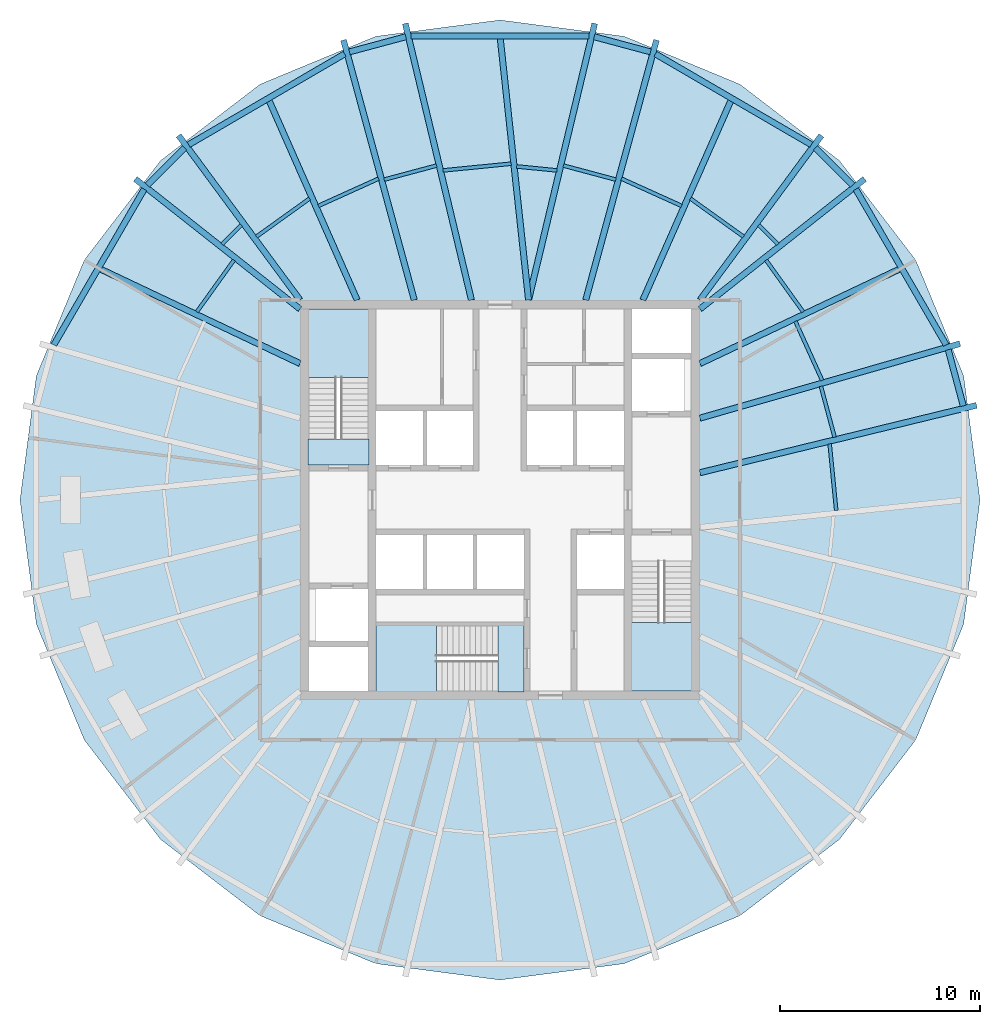
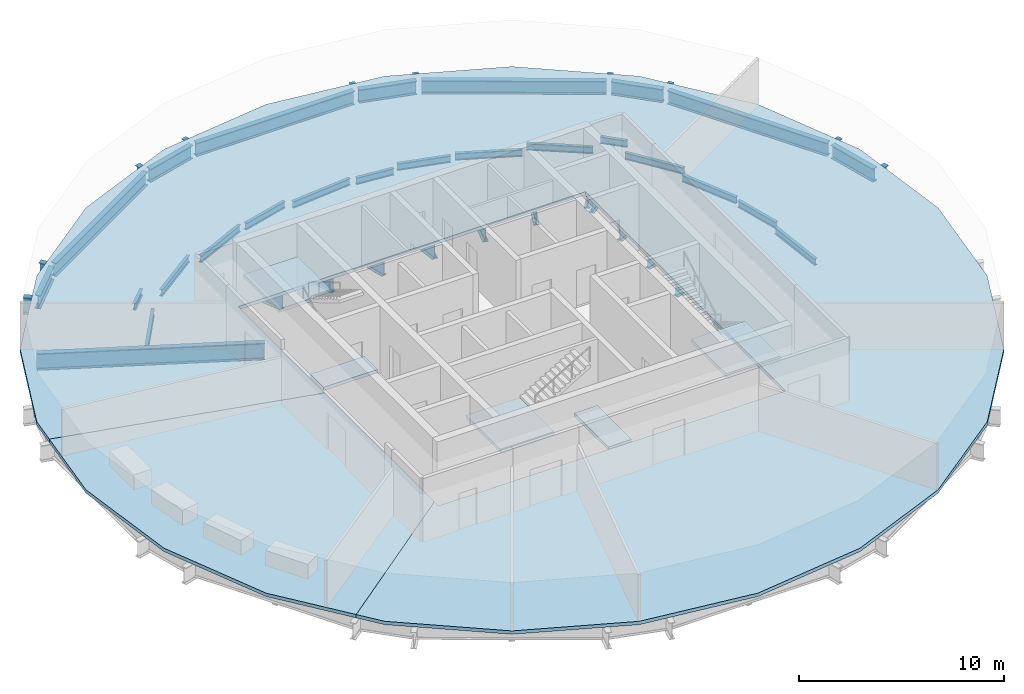
# One storey, part 2 of 7: 40 beams, 7 slabs, 3 elements without a shape of their own.
"""IFC4 building model written with IfcOpenShell, lengths in metres."""

from ifc_helpers import new_model, si_unit, direction, frame, origin, origin_2d, place, context, subcontext, project, spatial, polyline, i_section, outline, extrude, material, layer, layer_set, material_profile, profile_set, type_object, element, aggregate, save


model = new_model("IFC4")

# Units and contexts
model_context = context("Model", 3, precision=1e-05, world=origin(), true_north=direction((0.0, 1.0)))
body_context = subcontext(model_context, "Body", "Model", "MODEL_VIEW")
ifc_project = project(units=[si_unit("LENGTHUNIT", "METRE"), si_unit("AREAUNIT", "SQUARE_METRE"), si_unit("VOLUMEUNIT", "CUBIC_METRE"), si_unit("PLANEANGLEUNIT", "RADIAN"), si_unit("MASSUNIT", "GRAM", prefix="KILO")], contexts=[model_context])

# Site, building, storey
site_placement = place(None, origin())
site = spatial("IfcSite", under=ifc_project, at=site_placement, CompositionType="ELEMENT")
building_placement = place(site_placement, origin())
building = spatial("IfcBuilding", under=site, at=building_placement, Name="Golbaran Civic Tower", CompositionType="ELEMENT")
storey_placement = place(building_placement, frame((0.0, 0.0, 171.0)))
storey = spatial("IfcBuildingStorey", under=building, at=storey_placement, Name="L41", CompositionType="ELEMENT", Elevation=171.0)

# Beams
ifc_material_1 = material(Name="Steel S355", Category="steel")
ifc_material_profile_1 = material_profile(ifc_material_1, i_section(OverallWidth=0.300048828125, OverallDepth=0.800048828125, WebThickness=0.017578125, FlangeThickness=0.032958984375, FilletRadius=0.030029296875, at=origin_2d()), Name="HEB 800")
ifc_profile_set_1 = profile_set([ifc_material_profile_1], Name="Steel S355")
beam_type_1 = type_object("IfcBeamType", Name="EDGE BEAM HEB 800", PredefinedType="BEAM", material=ifc_profile_set_1)
beam_1_placement = place(storey_placement, frame((23.16552734375, 4.705810546875, -0.60009765625), z_axis=(-0.258979532644, 0.965882809492, 0.0), x_axis=(-0.965882809492, -0.258979532644, 0.0)))
element("IfcBeam", 1, at=beam_1_placement, inside=storey, type_object=beam_type_1, Name="Edge beam 11.29 L41", PredefinedType="BEAM", context=body_context, shape_type="SweptSolid", body=[
    extrude(i_section(OverallWidth=0.300048828125, OverallDepth=0.800048828125, WebThickness=0.017578125, FlangeThickness=0.032958984375, FilletRadius=0.030029296875, at=origin_2d()), origin(), (0.0, 0.0, 1.0), 2.9072265625),
])
beam_2_placement = place(storey_placement, frame((22.311767578125, 7.75537109375, -0.60009765625), z_axis=(-0.502203579972, 0.864749422817, 0.0), x_axis=(-0.864749422817, -0.502203579972, 0.0)))
element("IfcBeam", 2, at=beam_2_placement, inside=storey, type_object=beam_type_1, Name="Edge beam 18.71 L41", PredefinedType="BEAM", context=body_context, shape_type="SweptSolid", body=[
    extrude(i_section(OverallWidth=0.300048828125, OverallDepth=0.800048828125, WebThickness=0.017578125, FlangeThickness=0.032958984375, FilletRadius=0.030029296875, at=origin_2d()), origin(), (0.0, 0.0, 1.0), 8.99951171875),
])
beam_3_placement = place(storey_placement, frame((17.6337890625, 15.743896484375, -0.60009765625), z_axis=(-0.706503705369, 0.707709343092, 0.0), x_axis=(-0.707709343092, -0.706503705369, 0.0)))
element("IfcBeam", 3, at=beam_3_placement, inside=storey, type_object=beam_type_1, Name="Edge beam 41.29 L41", PredefinedType="BEAM", context=body_context, shape_type="SweptSolid", body=[
    extrude(i_section(OverallWidth=0.300048828125, OverallDepth=0.800048828125, WebThickness=0.017578125, FlangeThickness=0.032958984375, FilletRadius=0.030029296875, at=origin_2d()), origin(), (0.0, 0.0, 1.0), 2.632568359375),
])
beam_4_placement = place(storey_placement, frame((15.56787109375, 17.765625, -0.60009765625), z_axis=(-0.864154529819, 0.503226538046, 0.0), x_axis=(-0.503226538046, -0.864154529819, 0.0)))
element("IfcBeam", 4, at=beam_4_placement, inside=storey, type_object=beam_type_1, Name="Edge beam 48.71 L41", PredefinedType="BEAM", context=body_context, shape_type="SweptSolid", body=[
    extrude(i_section(OverallWidth=0.300048828125, OverallDepth=0.800048828125, WebThickness=0.017578125, FlangeThickness=0.032958984375, FilletRadius=0.030029296875, at=origin_2d()), origin(), (0.0, 0.0, 1.0), 9.02294921875),
])
beam_5_placement = place(storey_placement, frame((7.529052734375, 22.407470703125, -0.60009765625), z_axis=(-0.965762613666, 0.259427396481, 0.0), x_axis=(-0.259427396481, -0.965762613666, 0.0)))
element("IfcBeam", 5, at=beam_5_placement, inside=storey, type_object=beam_type_1, Name="Edge beam 71.29 L41", PredefinedType="BEAM", context=body_context, shape_type="SweptSolid", body=[
    extrude(i_section(OverallWidth=0.300048828125, OverallDepth=0.800048828125, WebThickness=0.017578125, FlangeThickness=0.032958984375, FilletRadius=0.030029296875, at=origin_2d()), origin(), (0.0, 0.0, 1.0), 2.918212890625),
])
beam_6_placement = place(storey_placement, frame((4.451416015625, 23.1982421875, -0.60009765625), z_axis=(-1.0, 0.0, 0.0), x_axis=(0.0, -1.0, 0.0)))
element("IfcBeam", 6, at=beam_6_placement, inside=storey, type_object=beam_type_1, Name="Edge beam 78.71 L41", PredefinedType="BEAM", context=body_context, shape_type="SweptSolid", body=[
    extrude(i_section(OverallWidth=0.300048828125, OverallDepth=0.800048828125, WebThickness=0.017578125, FlangeThickness=0.032958984375, FilletRadius=0.030029296875, at=origin_2d()), origin(), (0.0, 0.0, 1.0), 8.90283203125),
])
beam_7_placement = place(storey_placement, frame((-4.710693359375, 23.16455078125, -0.60009765625), z_axis=(-0.965762613666, -0.259427396481, 0.0), x_axis=(0.259427396481, -0.965762613666, 0.0)))
element("IfcBeam", 7, at=beam_7_placement, inside=storey, type_object=beam_type_1, Name="Edge beam 101.29 L41", PredefinedType="BEAM", context=body_context, shape_type="SweptSolid", body=[
    extrude(i_section(OverallWidth=0.300048828125, OverallDepth=0.800048828125, WebThickness=0.017578125, FlangeThickness=0.032958984375, FilletRadius=0.030029296875, at=origin_2d()), origin(), (0.0, 0.0, 1.0), 2.918212890625),
])
beam_8_placement = place(storey_placement, frame((-7.770751953125, 22.30615234375, -0.60009765625), z_axis=(-0.864154529819, -0.503226538046, 0.0), x_axis=(0.503226538046, -0.864154529819, 0.0)))
element("IfcBeam", 8, at=beam_8_placement, inside=storey, type_object=beam_type_1, Name="Edge beam 108.71 L41", PredefinedType="BEAM", context=body_context, shape_type="SweptSolid", body=[
    extrude(i_section(OverallWidth=0.300048828125, OverallDepth=0.800048828125, WebThickness=0.017578125, FlangeThickness=0.032958984375, FilletRadius=0.030029296875, at=origin_2d()), origin(), (0.0, 0.0, 1.0), 9.02294921875),
])
beam_9_placement = place(storey_placement, frame((-15.77392578125, 17.60693359375, -0.60009765625), z_axis=(-0.706503705369, -0.707709343092, 0.0), x_axis=(0.707709343092, -0.706503705369, 0.0)))
element("IfcBeam", 9, at=beam_9_placement, inside=storey, type_object=beam_type_1, Name="Edge beam 131.29 L41", PredefinedType="BEAM", context=body_context, shape_type="SweptSolid", body=[
    extrude(i_section(OverallWidth=0.300048828125, OverallDepth=0.800048828125, WebThickness=0.017578125, FlangeThickness=0.032958984375, FilletRadius=0.030029296875, at=origin_2d()), origin(), (0.0, 0.0, 1.0), 2.632568359375),
])
beam_10_placement = place(storey_placement, frame((-17.792236328125, 15.53759765625, -0.60009765625), z_axis=(-0.502203579972, -0.864749422817, 0.0), x_axis=(0.864749422817, -0.502203579972, 0.0)))
element("IfcBeam", 10, at=beam_10_placement, inside=storey, type_object=beam_type_1, Name="Edge beam 138.71 L41", PredefinedType="BEAM", context=body_context, shape_type="SweptSolid", body=[
    extrude(i_section(OverallWidth=0.300048828125, OverallDepth=0.800048828125, WebThickness=0.017578125, FlangeThickness=0.032958984375, FilletRadius=0.030029296875, at=origin_2d()), origin(), (0.0, 0.0, 1.0), 8.99951171875),
])
ifc_material_profile_2 = material_profile(ifc_material_1, i_section(OverallWidth=0.179931640625, OverallDepth=0.39990234375, WebThickness=0.008544921875, FlangeThickness=0.013427734375, FilletRadius=0.02099609375, at=origin_2d()), Name="IPE 400")
ifc_profile_set_2 = profile_set([ifc_material_profile_2], Name="Steel S355")
beam_type_2 = type_object("IfcBeamType", Name="FLOOR INFILL BEAM IPE 400", PredefinedType="BEAM", material=ifc_profile_set_2)
beam_11_placement = place(storey_placement, frame((16.814208984375, -0.529296875, -0.39990234375), z_axis=(-0.098430422142, 0.995143935316, 0.0), x_axis=(-0.995143935316, -0.098430422142, 0.0)))
element("IfcBeam", 11, at=beam_11_placement, inside=storey, type_object=beam_type_2, Name="Infill beam 5.65 L41", PredefinedType="BEAM", context=body_context, shape_type="SweptSolid", body=[
    extrude(i_section(OverallWidth=0.179931640625, OverallDepth=0.39990234375, WebThickness=0.008544921875, FlangeThickness=0.013427734375, FilletRadius=0.02099609375, at=origin_2d()), origin(), (0.0, 0.0, 1.0), 3.35595703125),
])
beam_12_placement = place(storey_placement, frame((16.731201171875, 3.13818359375, -0.39990234375), z_axis=(-0.258830002438, 0.965922890213, 0.0), x_axis=(-0.965922890213, -0.258830002438, 0.0)))
element("IfcBeam", 12, at=beam_12_placement, inside=storey, type_object=beam_type_2, Name="Infill beam 15.00 L41", PredefinedType="BEAM", context=body_context, shape_type="SweptSolid", body=[
    extrude(i_section(OverallWidth=0.179931640625, OverallDepth=0.39990234375, WebThickness=0.008544921875, FlangeThickness=0.013427734375, FilletRadius=0.02099609375, at=origin_2d()), origin(), (0.0, 0.0, 1.0), 2.64208984375),
])
beam_13_placement = place(storey_placement, frame((16.1103515625, 5.978759765625, -0.39990234375), z_axis=(-0.412380391926, 0.91101175204, 0.0), x_axis=(-0.91101175204, -0.412380391926, 0.0)))
element("IfcBeam", 13, at=beam_13_placement, inside=storey, type_object=beam_type_2, Name="Infill beam 24.35 L41", PredefinedType="BEAM", context=body_context, shape_type="SweptSolid", body=[
    extrude(i_section(OverallWidth=0.179931640625, OverallDepth=0.39990234375, WebThickness=0.008544921875, FlangeThickness=0.013427734375, FilletRadius=0.02099609375, at=origin_2d()), origin(), (0.0, 0.0, 1.0), 3.24658203125),
])
beam_14_placement = place(storey_placement, frame((15.15869140625, 9.407470703125, -0.39990234375), z_axis=(-0.582826391099, 0.812596700608, 0.0), x_axis=(-0.812596700608, -0.582826391099, 0.0)))
element("IfcBeam", 14, at=beam_14_placement, inside=storey, type_object=beam_type_2, Name="Infill beam 35.65 L41", PredefinedType="BEAM", context=body_context, shape_type="SweptSolid", body=[
    extrude(i_section(OverallWidth=0.179931640625, OverallDepth=0.39990234375, WebThickness=0.008544921875, FlangeThickness=0.013427734375, FilletRadius=0.02099609375, at=origin_2d()), origin(), (0.0, 0.0, 1.0), 3.182373046875),
])
beam_15_placement = place(storey_placement, frame((13.896728515625, 12.79296875, -0.39990234375), z_axis=(-0.707106781187, 0.707106781187, 0.0), x_axis=(-0.707106781187, -0.707106781187, 0.0)))
element("IfcBeam", 15, at=beam_15_placement, inside=storey, type_object=beam_type_2, Name="Infill beam 45.00 L41", PredefinedType="BEAM", context=body_context, shape_type="SweptSolid", body=[
    extrude(i_section(OverallWidth=0.179931640625, OverallDepth=0.39990234375, WebThickness=0.008544921875, FlangeThickness=0.013427734375, FilletRadius=0.02099609375, at=origin_2d()), origin(), (0.0, 0.0, 1.0), 1.36279296875),
])
beam_16_placement = place(storey_placement, frame((12.1767578125, 13.16943359375, -0.39990234375), z_axis=(-0.812625262749, 0.582786566713, 0.0), x_axis=(-0.582786566713, -0.812625262749, 0.0)))
element("IfcBeam", 16, at=beam_16_placement, inside=storey, type_object=beam_type_2, Name="Infill beam 54.35 L41", PredefinedType="BEAM", context=body_context, shape_type="SweptSolid", body=[
    extrude(i_section(OverallWidth=0.179931640625, OverallDepth=0.39990234375, WebThickness=0.008544921875, FlangeThickness=0.013427734375, FilletRadius=0.02099609375, at=origin_2d()), origin(), (0.0, 0.0, 1.0), 3.26416015625),
])
beam_17_placement = place(storey_placement, frame((9.0791015625, 14.707275390625, -0.39990234375), z_axis=(-0.911026547814, 0.412347704224, 0.0), x_axis=(-0.412347704224, -0.911026547814, 0.0)))
element("IfcBeam", 17, at=beam_17_placement, inside=storey, type_object=beam_type_2, Name="Infill beam 65.65 L41", PredefinedType="BEAM", context=body_context, shape_type="SweptSolid", body=[
    extrude(i_section(OverallWidth=0.179931640625, OverallDepth=0.39990234375, WebThickness=0.008544921875, FlangeThickness=0.013427734375, FilletRadius=0.02099609375, at=origin_2d()), origin(), (0.0, 0.0, 1.0), 3.30029296875),
])
beam_18_placement = place(storey_placement, frame((5.7900390625, 16.0205078125, -0.39990234375), z_axis=(-0.965933989665, 0.258788577047, 0.0), x_axis=(-0.258788577047, -0.965933989665, 0.0)))
element("IfcBeam", 18, at=beam_18_placement, inside=storey, type_object=beam_type_2, Name="Infill beam 75.00 L41", PredefinedType="BEAM", context=body_context, shape_type="SweptSolid", body=[
    extrude(i_section(OverallWidth=0.179931640625, OverallDepth=0.39990234375, WebThickness=0.008544921875, FlangeThickness=0.013427734375, FilletRadius=0.02099609375, at=origin_2d()), origin(), (0.0, 0.0, 1.0), 2.712158203125),
])
beam_19_placement = place(storey_placement, frame((2.8447265625, 16.47998046875, -0.39990234375), z_axis=(-0.995139665373, 0.098473582253, 0.0), x_axis=(-0.098473582253, -0.995139665373, 0.0)))
element("IfcBeam", 19, at=beam_19_placement, inside=storey, type_object=beam_type_2, Name="Infill beam 84.35 L41", PredefinedType="BEAM", context=body_context, shape_type="SweptSolid", body=[
    extrude(i_section(OverallWidth=0.179931640625, OverallDepth=0.39990234375, WebThickness=0.008544921875, FlangeThickness=0.013427734375, FilletRadius=0.02099609375, at=origin_2d()), origin(), (0.0, 0.0, 1.0), 2.01806640625),
])
beam_20_placement = place(storey_placement, frame((0.56005859375, 16.816650390625, -0.39990234375), z_axis=(-0.995146794815, -0.098401507963, 0.0), x_axis=(0.098401507963, -0.995146794815, 0.0)))
element("IfcBeam", 20, at=beam_20_placement, inside=storey, type_object=beam_type_2, Name="Infill beam 95.65 L41", PredefinedType="BEAM", context=body_context, shape_type="SweptSolid", body=[
    extrude(i_section(OverallWidth=0.179931640625, OverallDepth=0.39990234375, WebThickness=0.008544921875, FlangeThickness=0.013427734375, FilletRadius=0.02099609375, at=origin_2d()), origin(), (0.0, 0.0, 1.0), 3.42138671875),
])
beam_21_placement = place(storey_placement, frame((-3.170166015625, 16.722412109375, -0.39990234375), z_axis=(-0.965933989665, -0.258788577047, 0.0), x_axis=(0.258788577047, -0.965933989665, 0.0)))
element("IfcBeam", 21, at=beam_21_placement, inside=storey, type_object=beam_type_2, Name="Infill beam 105.00 L41", PredefinedType="BEAM", context=body_context, shape_type="SweptSolid", body=[
    extrude(i_section(OverallWidth=0.179931640625, OverallDepth=0.39990234375, WebThickness=0.008544921875, FlangeThickness=0.013427734375, FilletRadius=0.02099609375, at=origin_2d()), origin(), (0.0, 0.0, 1.0), 2.712158203125),
])
beam_22_placement = place(storey_placement, frame((-6.072509765625, 16.068115234375, -0.39990234375), z_axis=(-0.911026547814, -0.412347704224, 0.0), x_axis=(0.412347704224, -0.911026547814, 0.0)))
element("IfcBeam", 22, at=beam_22_placement, inside=storey, type_object=beam_type_2, Name="Infill beam 114.35 L41", PredefinedType="BEAM", context=body_context, shape_type="SweptSolid", body=[
    extrude(i_section(OverallWidth=0.179931640625, OverallDepth=0.39990234375, WebThickness=0.008544921875, FlangeThickness=0.013427734375, FilletRadius=0.02099609375, at=origin_2d()), origin(), (0.0, 0.0, 1.0), 3.30029296875),
])
beam_23_placement = place(storey_placement, frame((-9.524169921875, 15.07177734375, -0.39990234375), z_axis=(-0.812625262749, -0.582786566713, 0.0), x_axis=(0.582786566713, -0.812625262749, 0.0)))
element("IfcBeam", 23, at=beam_23_placement, inside=storey, type_object=beam_type_2, Name="Infill beam 125.65 L41", PredefinedType="BEAM", context=body_context, shape_type="SweptSolid", body=[
    extrude(i_section(OverallWidth=0.179931640625, OverallDepth=0.39990234375, WebThickness=0.008544921875, FlangeThickness=0.013427734375, FilletRadius=0.02099609375, at=origin_2d()), origin(), (0.0, 0.0, 1.0), 3.26416015625),
])
beam_24_placement = place(storey_placement, frame((-12.93310546875, 13.756591796875, -0.39990234375), z_axis=(-0.707106781187, -0.707106781187, 0.0), x_axis=(0.707106781187, -0.707106781187, 0.0)))
element("IfcBeam", 24, at=beam_24_placement, inside=storey, type_object=beam_type_2, Name="Infill beam 135.00 L41", PredefinedType="BEAM", context=body_context, shape_type="SweptSolid", body=[
    extrude(i_section(OverallWidth=0.179931640625, OverallDepth=0.39990234375, WebThickness=0.008544921875, FlangeThickness=0.013427734375, FilletRadius=0.02099609375, at=origin_2d()), origin(), (0.0, 0.0, 1.0), 1.36279296875),
])
beam_25_placement = place(storey_placement, frame((-13.303955078125, 11.993408203125, -0.39990234375), z_axis=(-0.582826391099, -0.812596700608, 0.0), x_axis=(0.812596700608, -0.582826391099, 0.0)))
element("IfcBeam", 25, at=beam_25_placement, inside=storey, type_object=beam_type_2, Name="Infill beam 144.35 L41", PredefinedType="BEAM", context=body_context, shape_type="SweptSolid", body=[
    extrude(i_section(OverallWidth=0.179931640625, OverallDepth=0.39990234375, WebThickness=0.008544921875, FlangeThickness=0.013427734375, FilletRadius=0.02099609375, at=origin_2d()), origin(), (0.0, 0.0, 1.0), 3.182373046875),
])
ifc_material_profile_3 = material_profile(ifc_material_1, i_section(OverallWidth=0.300048828125, OverallDepth=1.0, WebThickness=0.01904296875, FlangeThickness=0.035888671875, FilletRadius=0.030029296875, at=origin_2d()), Name="HEB 1000")
ifc_profile_set_3 = profile_set([ifc_material_profile_3], Name="Steel S355")
beam_type_3 = type_object("IfcBeamType", Name="RADIAL FLOOR BEAM HEB 1000", PredefinedType="BEAM", material=ifc_profile_set_3)
beam_26_placement = place(storey_placement, frame((10.0, 1.3642578125, -0.7099609375), z_axis=(0.971577036972, 0.236723596689, 0.0), x_axis=(-0.236723596689, 0.971577036972, 0.0)))
element("IfcBeam", 26, at=beam_26_placement, inside=storey, type_object=beam_type_3, Name="Radial beam 11.29 L41", PredefinedType="BEAM", context=body_context, shape_type="SweptSolid", body=[
    extrude(i_section(OverallWidth=0.300048828125, OverallDepth=1.0, WebThickness=0.01904296875, FlangeThickness=0.035888671875, FilletRadius=0.030029296875, at=origin_2d()), origin(), (0.0, 0.0, 1.0), 14.2333984375),
])
beam_27_placement = place(storey_placement, frame((10.0, 4.0927734375, -0.7099609375), z_axis=(0.961322059036, 0.275426757615, 0.0), x_axis=(-0.275426757615, 0.961322059036, 0.0)))
element("IfcBeam", 27, at=beam_27_placement, inside=storey, type_object=beam_type_3, Name="Radial beam 18.71 L41", PredefinedType="BEAM", context=body_context, shape_type="SweptSolid", body=[
    extrude(i_section(OverallWidth=0.300048828125, OverallDepth=1.0, WebThickness=0.01904296875, FlangeThickness=0.035888671875, FilletRadius=0.030029296875, at=origin_2d()), origin(), (0.0, 0.0, 1.0), 13.52490234375),
])
beam_28_placement = place(storey_placement, frame((10.0, 9.550048828125, -0.7099609375), z_axis=(0.78479644347, 0.619753614202, 0.0), x_axis=(-0.619753614202, 0.78479644347, 0.0)))
element("IfcBeam", 28, at=beam_28_placement, inside=storey, type_object=beam_type_3, Name="Radial beam 41.29 L41", PredefinedType="BEAM", context=body_context, shape_type="SweptSolid", body=[
    extrude(i_section(OverallWidth=0.300048828125, OverallDepth=1.0, WebThickness=0.01904296875, FlangeThickness=0.035888671875, FilletRadius=0.030029296875, at=origin_2d()), origin(), (0.0, 0.0, 1.0), 10.498291015625),
])
beam_29_placement = place(storey_placement, frame((10.0, 10.0, -0.7099609375), z_axis=(0.593701413465, 0.804685424032, 0.0), x_axis=(-0.804685424032, 0.593701413465, 0.0)))
element("IfcBeam", 29, at=beam_29_placement, inside=storey, type_object=beam_type_3, Name="Radial beam 48.71 L41", PredefinedType="BEAM", context=body_context, shape_type="SweptSolid", body=[
    extrude(i_section(OverallWidth=0.300048828125, OverallDepth=1.0, WebThickness=0.01904296875, FlangeThickness=0.035888671875, FilletRadius=0.030029296875, at=origin_2d()), origin(), (0.0, 0.0, 1.0), 10.225830078125),
])
beam_30_placement = place(storey_placement, frame((4.28564453125, 10.0, -0.7099609375), z_axis=(0.262698759241, 0.964877899992, 0.0), x_axis=(-0.964877899992, 0.262698759241, 0.0)))
element("IfcBeam", 30, at=beam_30_placement, inside=storey, type_object=beam_type_3, Name="Radial beam 71.29 L41", PredefinedType="BEAM", context=body_context, shape_type="SweptSolid", body=[
    extrude(i_section(OverallWidth=0.300048828125, OverallDepth=1.0, WebThickness=0.01904296875, FlangeThickness=0.035888671875, FilletRadius=0.030029296875, at=origin_2d()), origin(), (0.0, 0.0, 1.0), 13.471923828125),
])
for number, where, z_axis, x_axis, name in (
    (31, (1.428466796875, 10.0, -0.7099609375), (0.232608521168, 0.972570447772, 0.0), (-0.972570447772, 0.232608521168, 0.0), "Radial beam 78.71 L41"),
    (32, (-1.428466796875, 10.0, -0.7099609375), (-0.232608521168, 0.972570447772, 0.0), (-0.972570447772, -0.232608521168, 0.0), "Radial beam 101.29 L41"),
):
    element("IfcBeam", number, at=place(storey_placement, frame(where, z_axis=z_axis, x_axis=x_axis)), inside=storey, type_object=beam_type_3, Name=name, PredefinedType="BEAM", context=body_context, shape_type="SweptSolid", body=[
        extrude(i_section(OverallWidth=0.300048828125, OverallDepth=1.0, WebThickness=0.01904296875, FlangeThickness=0.035888671875, FilletRadius=0.030029296875, at=origin_2d()), origin(), (0.0, 0.0, 1.0), 14.218505859375),
    ])
beam_31_placement = place(storey_placement, frame((-4.28564453125, 10.0, -0.7099609375), z_axis=(-0.262698759241, 0.964877899992, 0.0), x_axis=(-0.964877899992, -0.262698759241, 0.0)))
element("IfcBeam", 33, at=beam_31_placement, inside=storey, type_object=beam_type_3, Name="Radial beam 108.71 L41", PredefinedType="BEAM", context=body_context, shape_type="SweptSolid", body=[
    extrude(i_section(OverallWidth=0.300048828125, OverallDepth=1.0, WebThickness=0.01904296875, FlangeThickness=0.035888671875, FilletRadius=0.030029296875, at=origin_2d()), origin(), (0.0, 0.0, 1.0), 13.471923828125),
])
beam_32_placement = place(storey_placement, frame((-10.0, 10.0, -0.7099609375), z_axis=(-0.593701413465, 0.804685424032, 0.0), x_axis=(-0.804685424032, -0.593701413465, 0.0)))
element("IfcBeam", 34, at=beam_32_placement, inside=storey, type_object=beam_type_3, Name="Radial beam 131.29 L41", PredefinedType="BEAM", context=body_context, shape_type="SweptSolid", body=[
    extrude(i_section(OverallWidth=0.300048828125, OverallDepth=1.0, WebThickness=0.01904296875, FlangeThickness=0.035888671875, FilletRadius=0.030029296875, at=origin_2d()), origin(), (0.0, 0.0, 1.0), 10.225830078125),
])
beam_33_placement = place(storey_placement, frame((-10.0, 9.550048828125, -0.7099609375), z_axis=(-0.78479644347, 0.619753614202, 0.0), x_axis=(-0.619753614202, -0.78479644347, 0.0)))
element("IfcBeam", 35, at=beam_33_placement, inside=storey, type_object=beam_type_3, Name="Radial beam 138.71 L41", PredefinedType="BEAM", context=body_context, shape_type="SweptSolid", body=[
    extrude(i_section(OverallWidth=0.300048828125, OverallDepth=1.0, WebThickness=0.01904296875, FlangeThickness=0.035888671875, FilletRadius=0.030029296875, at=origin_2d()), origin(), (0.0, 0.0, 1.0), 10.498291015625),
])
ifc_material_profile_4 = material_profile(ifc_material_1, i_section(OverallWidth=0.300048828125, OverallDepth=1.0, WebThickness=0.01904296875, FlangeThickness=0.035888671875, FilletRadius=0.030029296875, at=origin_2d()), Name="HEB 1000")
ifc_profile_set_4 = profile_set([ifc_material_profile_4], Name="Steel S355")
beam_type_4 = type_object("IfcBeamType", Name="SECONDARY FLOOR BEAM HEB 1000", PredefinedType="BEAM", material=ifc_profile_set_4)
beam_34_placement = place(storey_placement, frame((10.0, 6.821533203125, -0.7099609375), z_axis=(0.903833187021, 0.427884996277, 0.0), x_axis=(-0.427884996277, 0.903833187021, 0.0)))
element("IfcBeam", 36, at=beam_34_placement, inside=storey, type_object=beam_type_4, Name="Secondary beam 30.00 L41", PredefinedType="BEAM", context=body_context, shape_type="SweptSolid", body=[
    extrude(i_section(OverallWidth=0.300048828125, OverallDepth=1.0, WebThickness=0.01904296875, FlangeThickness=0.035888671875, FilletRadius=0.030029296875, at=origin_2d()), origin(), (0.0, 0.0, 1.0), 11.15478515625),
])
beam_35_placement = place(storey_placement, frame((7.142822265625, 10.0, -0.7099609375), z_axis=(0.40389439134, 0.914805619049, 0.0), x_axis=(-0.914805619049, 0.40389439134, 0.0)))
element("IfcBeam", 37, at=beam_35_placement, inside=storey, type_object=beam_type_4, Name="Secondary beam 60.00 L41", PredefinedType="BEAM", context=body_context, shape_type="SweptSolid", body=[
    extrude(i_section(OverallWidth=0.300048828125, OverallDepth=1.0, WebThickness=0.01904296875, FlangeThickness=0.035888671875, FilletRadius=0.030029296875, at=origin_2d()), origin(), (0.0, 0.0, 1.0), 11.018798828125),
])
beam_36_placement = place(storey_placement, frame((1.428466796875, 10.0, -0.7099609375), z_axis=(-0.107603193349, 0.994193921115, 0.0), x_axis=(-0.994193921115, -0.107603193349, 0.0)))
element("IfcBeam", 38, at=beam_36_placement, inside=storey, type_object=beam_type_4, Name="Secondary beam 90.00 L41", PredefinedType="BEAM", context=body_context, shape_type="SweptSolid", body=[
    extrude(i_section(OverallWidth=0.300048828125, OverallDepth=1.0, WebThickness=0.01904296875, FlangeThickness=0.035888671875, FilletRadius=0.030029296875, at=origin_2d()), origin(), (0.0, 0.0, 1.0), 13.275390625),
])
beam_37_placement = place(storey_placement, frame((-7.142822265625, 10.0, -0.7099609375), z_axis=(-0.40389439134, 0.914805619049, 0.0), x_axis=(-0.914805619049, -0.40389439134, 0.0)))
element("IfcBeam", 39, at=beam_37_placement, inside=storey, type_object=beam_type_4, Name="Secondary beam 120.00 L41", PredefinedType="BEAM", context=body_context, shape_type="SweptSolid", body=[
    extrude(i_section(OverallWidth=0.300048828125, OverallDepth=1.0, WebThickness=0.01904296875, FlangeThickness=0.035888671875, FilletRadius=0.030029296875, at=origin_2d()), origin(), (0.0, 0.0, 1.0), 11.018798828125),
])
beam_38_placement = place(storey_placement, frame((-10.0, 6.821533203125, -0.7099609375), z_axis=(-0.903833187021, 0.427884996277, 0.0), x_axis=(-0.427884996277, -0.903833187021, 0.0)))
element("IfcBeam", 40, at=beam_38_placement, inside=storey, type_object=beam_type_4, Name="Secondary beam 150.00 L41", PredefinedType="BEAM", context=body_context, shape_type="SweptSolid", body=[
    extrude(i_section(OverallWidth=0.300048828125, OverallDepth=1.0, WebThickness=0.01904296875, FlangeThickness=0.035888671875, FilletRadius=0.030029296875, at=origin_2d()), origin(), (0.0, 0.0, 1.0), 11.15478515625),
])

# Slabs
ifc_material_2 = material(Name="Concrete LC30/33 lightweight on steel deck", Category="concrete")
ifc_layer_1 = layer(ifc_material_2, 0.199951171875, Name="Concrete LC30/33 lightweight on steel deck")
ifc_layer_set_1 = layer_set([ifc_layer_1], Name="Concrete LC30/33 lightweight on steel deck")
slab_type_1 = type_object("IfcSlabType", Name="COMPOSITE FLOOR SLAB 200", PredefinedType="FLOOR", material=ifc_layer_set_1)
slab_1_placement = place(storey_placement, frame((0.0, 0.0, -0.199951171875)))
element("IfcSlab", 41, at=slab_1_placement, inside=storey, type_object=slab_type_1, Name="Sky garden deck L41", PredefinedType="FLOOR", context=body_context, shape_type="SweptSolid", body=[
    extrude(outline(polyline([(-23.1845703125, -6.212158203125), (-24.002197265625, 0.0), (-23.39306640625, 4.62744140625), (-10.0, 1.3642578125), (-9.77490234375, 1.33349609375), (-9.77490234375, -9.335205078125), (-10.0, -9.550048828125), (-17.887939453125, -15.77880859375), (-20.78662109375, -12.001220703125), (-23.1845703125, -6.212158203125)])), origin(), (0.0, 0.0, 1.0), 0.199951171875),
])
slab_2_placement = place(storey_placement, frame((0.0, 0.0, -0.199951171875)))
element("IfcSlab", 42, at=slab_2_placement, inside=storey, type_object=slab_type_1, Name="Floor slab L41", PredefinedType="FLOOR", context=body_context, shape_type="SweptSolid", body=[
    extrude(outline(polyline([(16.97216796875, -16.97216796875), (12.001220703125, -20.78662109375), (6.212158203125, -23.1845703125), (0.0, -24.002197265625), (-6.212158203125, -23.1845703125), (-12.001220703125, -20.78662109375), (-16.97216796875, -16.97216796875), (-17.887939453125, -15.77880859375), (-10.0, -9.550048828125), (-9.77490234375, -9.335205078125), (-9.77490234375, -9.77490234375), (9.77490234375, -9.77490234375), (9.77490234375, 9.77490234375), (-9.77490234375, 9.77490234375), (-9.77490234375, 1.33349609375), (-10.0, 1.3642578125), (-23.39306640625, 4.62744140625), (-23.1845703125, 6.212158203125), (-20.78662109375, 12.001220703125), (-16.97216796875, 16.97216796875), (-12.001220703125, 20.78662109375), (-6.212158203125, 23.1845703125), (0.0, 24.002197265625), (6.212158203125, 23.1845703125), (12.001220703125, 20.78662109375), (16.97216796875, 16.97216796875), (20.78662109375, 12.001220703125), (23.1845703125, 6.212158203125), (24.002197265625, 0.0), (23.1845703125, -6.212158203125), (20.78662109375, -12.001220703125), (16.97216796875, -16.97216796875)])), origin(), (0.0, 0.0, 1.0), 0.199951171875),
])

# Stair, slab
ifc_material_3 = material(Name="Concrete C35/45", Category="concrete")
stair_type_1 = type_object("IfcStairType", Name="EXIT STAIR 2950 x 7800, 4000 RISE", PredefinedType="HALF_TURN_STAIR", material=ifc_material_3)
stair_1_placement = place(storey_placement, origin())
stair_1 = element("IfcStair", 43, at=stair_1_placement, inside=storey, type_object=stair_type_1, Name="Stair S1 L41", PredefinedType="HALF_TURN_STAIR")
ifc_layer_2 = layer(ifc_material_3, 0.199951171875, Name="Concrete C35/45")
ifc_layer_set_2 = layer_set([ifc_layer_2], Name="Concrete C35/45")
slab_type_2 = type_object("IfcSlabType", Name="STAIR LANDING 200", PredefinedType="LANDING", material=ifc_layer_set_2)
slab_3_placement = place(storey_placement, frame((0.0, 0.0, 1.800048828125)))
slab_3 = element("IfcSlab", 44, at=slab_3_placement, type_object=slab_type_2, Name="ST29578-40 landing 1", PredefinedType="LANDING", context=body_context, shape_type="SweptSolid", body=[
    extrude(outline(polyline([(-9.60009765625, 6.125), (-9.60009765625, 9.550048828125), (-6.550048828125, 9.550048828125), (-6.550048828125, 6.125), (-9.60009765625, 6.125)])), origin(), (0.0, 0.0, 1.0), 0.199951171875),
])
aggregate(stair_1, [slab_3])

# Slab
slab_4_placement = place(storey_placement, frame((0.0, 0.0, -0.199951171875)))
element("IfcSlab", 45, at=slab_4_placement, inside=storey, type_object=slab_type_2, Name="Stair S1 floor landing L41", PredefinedType="LANDING", context=body_context, shape_type="SweptSolid", body=[
    extrude(outline(polyline([(-9.60009765625, 1.75), (-9.60009765625, 3.054931640625), (-6.550048828125, 3.054931640625), (-6.550048828125, 1.75), (-9.60009765625, 1.75)])), origin(), (0.0, 0.0, 1.0), 0.199951171875),
])

# Stair, slab
stair_2_placement = place(storey_placement, origin())
stair_2 = element("IfcStair", 46, at=stair_2_placement, inside=storey, type_object=stair_type_1, Name="Stair S2 L41", PredefinedType="HALF_TURN_STAIR")
slab_5_placement = place(storey_placement, frame((0.0, 0.0, 1.800048828125)))
slab_5 = element("IfcSlab", 47, at=slab_5_placement, type_object=slab_type_2, Name="ST29578-40 landing 1", PredefinedType="LANDING", context=body_context, shape_type="SweptSolid", body=[
    extrude(outline(polyline([(9.60009765625, -6.125), (9.60009765625, -9.550048828125), (6.550048828125, -9.550048828125), (6.550048828125, -6.125), (9.60009765625, -6.125)])), origin(), (0.0, 0.0, 1.0), 0.199951171875),
])
aggregate(stair_2, [slab_5])

stair_type_2 = type_object("IfcStairType", Name="EXIT STAIR 3250 x 7400, 4000 RISE", PredefinedType="HALF_TURN_STAIR", material=ifc_material_3)
stair_3_placement = place(storey_placement, origin())
stair_3 = element("IfcStair", 48, at=stair_3_placement, inside=storey, type_object=stair_type_2, Name="Stair S3 L41", PredefinedType="HALF_TURN_STAIR")
slab_6_placement = place(storey_placement, frame((0.0, 0.0, 1.800048828125)))
slab_6 = element("IfcSlab", 49, at=slab_6_placement, type_object=slab_type_2, Name="ST32574-40 landing 1", PredefinedType="LANDING", context=body_context, shape_type="SweptSolid", body=[
    extrude(outline(polyline([(-3.175048828125, -9.60009765625), (-6.199951171875, -9.60009765625), (-6.199951171875, -6.25), (-3.175048828125, -6.25), (-3.175048828125, -9.60009765625)])), origin(), (0.0, 0.0, 1.0), 0.199951171875),
])
aggregate(stair_3, [slab_6])

# Slab
slab_7_placement = place(storey_placement, frame((0.0, 0.0, -0.199951171875)))
element("IfcSlab", 50, at=slab_7_placement, inside=storey, type_object=slab_type_2, Name="Stair S3 floor landing L41", PredefinedType="LANDING", context=body_context, shape_type="SweptSolid", body=[
    extrude(outline(polyline([(1.199951171875, -9.60009765625), (-0.10498046875, -9.60009765625), (-0.10498046875, -6.25), (1.199951171875, -6.25), (1.199951171875, -9.60009765625)])), origin(), (0.0, 0.0, 1.0), 0.199951171875),
])

save(model, "model.ifc")
